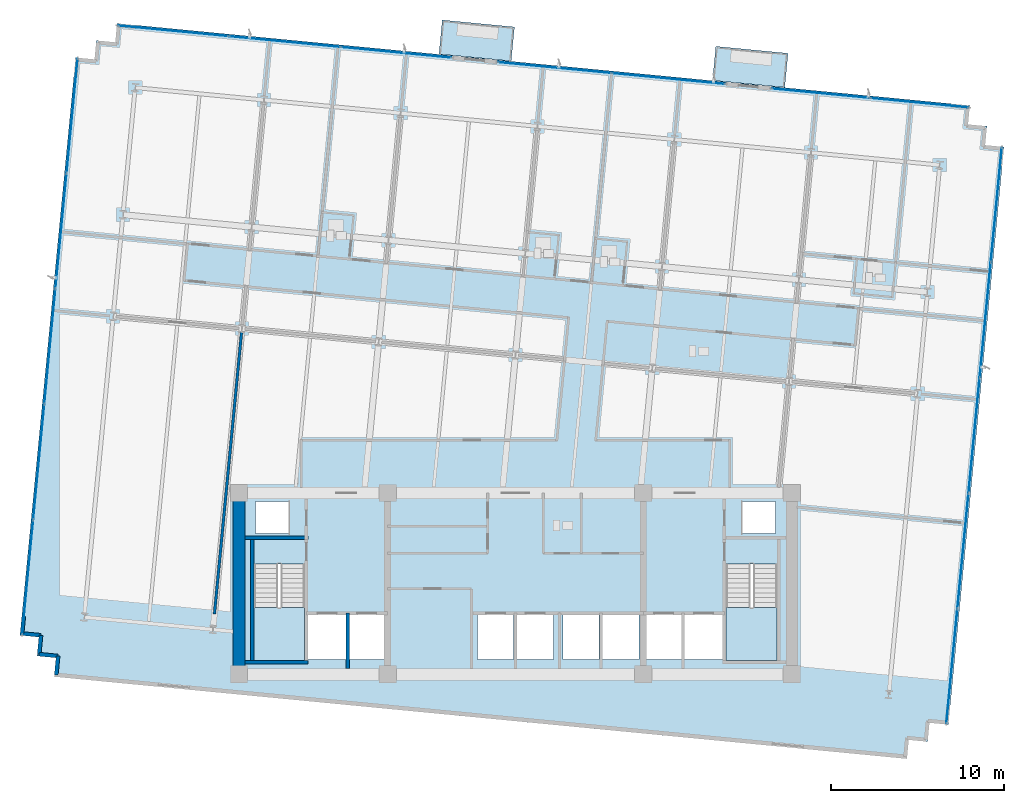
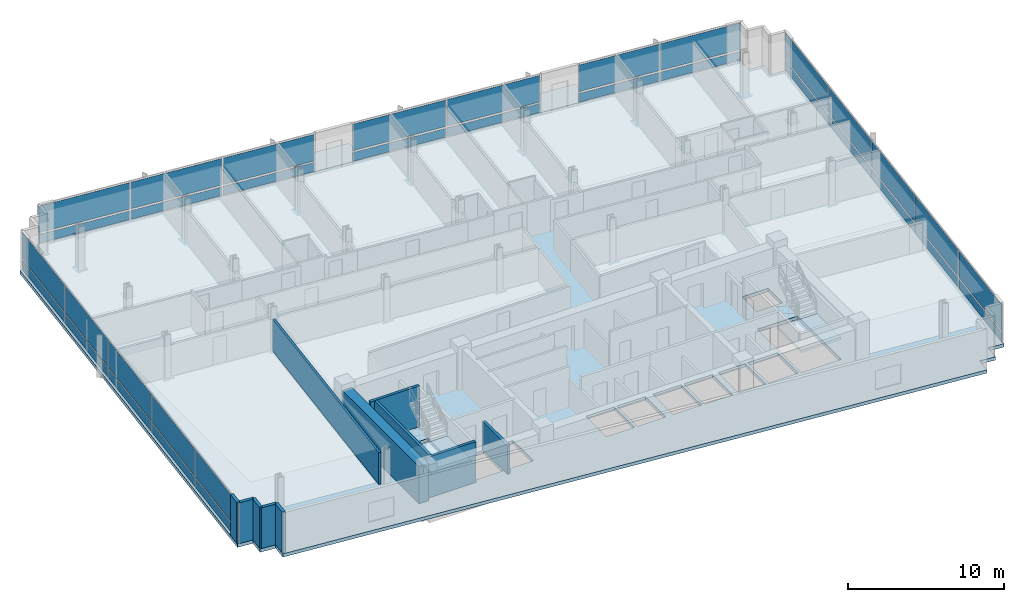
# One storey, part 9 of 17: 34 plates, 11 walls, 5 slabs, 7 elements without a shape of their own.
"""IFC4 building model written with IfcOpenShell, lengths in metres."""

from ifc_helpers import new_model, si_unit, direction, frame, frame_2d, origin, origin_2d, place, context, subcontext, project, spatial, polyline, rectangle, outline, extrude, material, layer, layer_set, type_object, element, aggregate, save


model = new_model("IFC4")

# Units and contexts
model_context = context("Model", 3, precision=1e-05, world=origin(), true_north=direction((0.0, 1.0)))
body_context = subcontext(model_context, "Body", "Model", "MODEL_VIEW")
ifc_project = project(units=[si_unit("LENGTHUNIT", "METRE"), si_unit("AREAUNIT", "SQUARE_METRE"), si_unit("VOLUMEUNIT", "CUBIC_METRE"), si_unit("PLANEANGLEUNIT", "RADIAN"), si_unit("MASSUNIT", "GRAM", prefix="KILO")], contexts=[model_context])

# Site, building, storey
site_placement = place(None, origin())
site = spatial("IfcSite", under=ifc_project, at=site_placement, CompositionType="ELEMENT")
building_placement = place(site_placement, origin())
building = spatial("IfcBuilding", under=site, at=building_placement, Name="Solmavex Isthmus Hotel", CompositionType="ELEMENT")
storey_placement = place(building_placement, frame((0.0, 0.0, 170.39990234375)))
storey = spatial("IfcBuildingStorey", under=building, at=storey_placement, Name="L46", CompositionType="ELEMENT", Elevation=170.39990234375)

# Curtain wall, plates
ifc_material_1 = material(Name="Aluminium alloy 6063-T6", Category="aluminium")
curtain_wall_type = type_object("IfcCurtainWallType", Name="CW-SYS-03", PredefinedType="NOTDEFINED", material=ifc_material_1)
curtain_wall_1_placement = place(storey_placement, origin())
curtain_wall_1 = element("IfcCurtainWall", 1, at=curtain_wall_1_placement, inside=storey, type_object=curtain_wall_type, Name="Stick Curtain Wall CWL-L46-N1", PredefinedType="NOTDEFINED")
ifc_material_2 = material(Name="Clear low-E laminated glass", Category="glass")
ifc_layer_1 = layer(ifc_material_2, 0.030029296875)
ifc_layer_set_1 = layer_set([ifc_layer_1], Name="Clear low-E laminated glass")
plate_type = type_object("IfcPlateType", Name="CW-SYS-03-PNL", PredefinedType="CURTAIN_PANEL", material=ifc_layer_set_1)
plate_1_placement = place(storey_placement, frame((-19.820068359375, 24.256591796875, 0.14013671875), z_axis=(0.0, 0.0, 1.0), x_axis=(0.995396204731, -0.095845686434, 0.0)))
plate_1 = element("IfcPlate", 2, at=plate_1_placement, type_object=plate_type, Name="CW-03 panel 1.1", PredefinedType="CURTAIN_PANEL", context=body_context, shape_type="SweptSolid", body=[
    extrude(rectangle(XDim=6.40234375, YDim=0.030029296875, at=origin_2d()), origin(), (0.0, 0.0, 1.0), 0.68994140625),
])
plate_2_placement = place(storey_placement, frame((-19.820068359375, 24.256591796875, 0.969970703125), z_axis=(0.0, 0.0, 1.0), x_axis=(0.995396204731, -0.095845686434, 0.0)))
plate_2 = element("IfcPlate", 3, at=plate_2_placement, type_object=plate_type, Name="CW-03 panel 1.2", PredefinedType="CURTAIN_PANEL", context=body_context, shape_type="SweptSolid", body=[
    extrude(rectangle(XDim=6.40234375, YDim=0.030029296875, at=origin_2d()), origin(), (0.0, 0.0, 1.0), 2.080078125),
])
plate_3_placement = place(storey_placement, frame((-13.360107421875, 23.634521484375, 0.14013671875), z_axis=(0.0, 0.0, 1.0), x_axis=(0.995396204731, -0.095845686434, 0.0)))
plate_3 = element("IfcPlate", 4, at=plate_3_placement, type_object=plate_type, Name="CW-03 panel 2.1", PredefinedType="CURTAIN_PANEL", context=body_context, shape_type="SweptSolid", body=[
    extrude(rectangle(XDim=6.437255859375, YDim=0.030029296875, at=origin_2d()), origin(), (0.0, 0.0, 1.0), 0.68994140625),
])
plate_4_placement = place(storey_placement, frame((-13.360107421875, 23.634521484375, 0.969970703125), z_axis=(0.0, 0.0, 1.0), x_axis=(0.995396204731, -0.095845686434, 0.0)))
plate_4 = element("IfcPlate", 5, at=plate_4_placement, type_object=plate_type, Name="CW-03 panel 2.2", PredefinedType="CURTAIN_PANEL", context=body_context, shape_type="SweptSolid", body=[
    extrude(rectangle(XDim=6.437255859375, YDim=0.030029296875, at=origin_2d()), origin(), (0.0, 0.0, 1.0), 2.080078125),
])
plate_5_placement = place(storey_placement, frame((-6.900146484375, 23.012451171875, 0.14013671875), z_axis=(0.0, 0.0, 1.0), x_axis=(0.995396204731, -0.095845686434, 0.0)))
plate_5 = element("IfcPlate", 6, at=plate_5_placement, type_object=plate_type, Name="CW-03 panel 3.1", PredefinedType="CURTAIN_PANEL", context=body_context, shape_type="SweptSolid", body=[
    extrude(rectangle(XDim=6.40234375, YDim=0.030029296875, at=origin_2d()), origin(), (0.0, 0.0, 1.0), 0.68994140625),
])
plate_6_placement = place(storey_placement, frame((-6.900146484375, 23.012451171875, 0.969970703125), z_axis=(0.0, 0.0, 1.0), x_axis=(0.995396204731, -0.095845686434, 0.0)))
plate_6 = element("IfcPlate", 7, at=plate_6_placement, type_object=plate_type, Name="CW-03 panel 3.2", PredefinedType="CURTAIN_PANEL", context=body_context, shape_type="SweptSolid", body=[
    extrude(rectangle(XDim=6.40234375, YDim=0.030029296875, at=origin_2d()), origin(), (0.0, 0.0, 1.0), 2.080078125),
])
aggregate(curtain_wall_1, [plate_1, plate_2, plate_3, plate_4, plate_5, plate_6])

curtain_wall_2_placement = place(storey_placement, origin())
curtain_wall_2 = element("IfcCurtainWall", 8, at=curtain_wall_2_placement, inside=storey, type_object=curtain_wall_type, Name="Stick Curtain Wall CWL-L46-N2", PredefinedType="NOTDEFINED")
plate_7_placement = place(storey_placement, frame((2.27392578125, 22.129150390625, 0.14013671875), z_axis=(0.0, 0.0, 1.0), x_axis=(0.995396257521, -0.095845138178, 0.0)))
plate_7 = element("IfcPlate", 9, at=plate_7_placement, type_object=plate_type, Name="CW-03 panel 1.1", PredefinedType="CURTAIN_PANEL", context=body_context, shape_type="SweptSolid", body=[
    extrude(rectangle(XDim=6.551025390625, YDim=0.030029296875, at=origin_2d()), origin(), (0.0, 0.0, 1.0), 0.68994140625),
])
plate_8_placement = place(storey_placement, frame((2.27392578125, 22.129150390625, 0.969970703125), z_axis=(0.0, 0.0, 1.0), x_axis=(0.995396257521, -0.095845138178, 0.0)))
plate_8 = element("IfcPlate", 10, at=plate_8_placement, type_object=plate_type, Name="CW-03 panel 1.2", PredefinedType="CURTAIN_PANEL", context=body_context, shape_type="SweptSolid", body=[
    extrude(rectangle(XDim=6.551025390625, YDim=0.030029296875, at=origin_2d()), origin(), (0.0, 0.0, 1.0), 2.080078125),
])
plate_9_placement = place(storey_placement, frame((8.864501953125, 21.49462890625, 0.14013671875), z_axis=(0.0, 0.0, 1.0), x_axis=(0.995396257521, -0.095845138178, 0.0)))
plate_9 = element("IfcPlate", 11, at=plate_9_placement, type_object=plate_type, Name="CW-03 panel 2.1", PredefinedType="CURTAIN_PANEL", context=body_context, shape_type="SweptSolid", body=[
    extrude(rectangle(XDim=6.551025390625, YDim=0.030029296875, at=origin_2d()), origin(), (0.0, 0.0, 1.0), 0.68994140625),
])
plate_10_placement = place(storey_placement, frame((8.864501953125, 21.49462890625, 0.969970703125), z_axis=(0.0, 0.0, 1.0), x_axis=(0.995396257521, -0.095845138178, 0.0)))
plate_10 = element("IfcPlate", 12, at=plate_10_placement, type_object=plate_type, Name="CW-03 panel 2.2", PredefinedType="CURTAIN_PANEL", context=body_context, shape_type="SweptSolid", body=[
    extrude(rectangle(XDim=6.551025390625, YDim=0.030029296875, at=origin_2d()), origin(), (0.0, 0.0, 1.0), 2.080078125),
])
aggregate(curtain_wall_2, [plate_7, plate_8, plate_9, plate_10])

curtain_wall_3_placement = place(storey_placement, origin())
curtain_wall_3 = element("IfcCurtainWall", 13, at=curtain_wall_3_placement, inside=storey, type_object=curtain_wall_type, Name="Stick Curtain Wall CWL-L46-N3", PredefinedType="NOTDEFINED")
plate_11_placement = place(storey_placement, frame((17.67822265625, 20.645751953125, 0.14013671875), z_axis=(0.0, 0.0, 1.0), x_axis=(0.995396212717, -0.095845603495, 0.0)))
plate_11 = element("IfcPlate", 14, at=plate_11_placement, type_object=plate_type, Name="CW-03 panel 1.1", PredefinedType="CURTAIN_PANEL", context=body_context, shape_type="SweptSolid", body=[
    extrude(rectangle(XDim=5.677978515625, YDim=0.030029296875, at=origin_2d()), origin(), (0.0, 0.0, 1.0), 0.68994140625),
])
plate_12_placement = place(storey_placement, frame((17.67822265625, 20.645751953125, 0.969970703125), z_axis=(0.0, 0.0, 1.0), x_axis=(0.995396212717, -0.095845603495, 0.0)))
plate_12 = element("IfcPlate", 15, at=plate_12_placement, type_object=plate_type, Name="CW-03 panel 1.2", PredefinedType="CURTAIN_PANEL", context=body_context, shape_type="SweptSolid", body=[
    extrude(rectangle(XDim=5.677978515625, YDim=0.030029296875, at=origin_2d()), origin(), (0.0, 0.0, 1.0), 2.080078125),
])
plate_13_placement = place(storey_placement, frame((23.39990234375, 20.094970703125, 0.14013671875), z_axis=(0.0, 0.0, 1.0), x_axis=(0.995396212717, -0.095845603495, 0.0)))
plate_13 = element("IfcPlate", 16, at=plate_13_placement, type_object=plate_type, Name="CW-03 panel 2.1", PredefinedType="CURTAIN_PANEL", context=body_context, shape_type="SweptSolid", body=[
    extrude(rectangle(XDim=5.677978515625, YDim=0.030029296875, at=origin_2d()), origin(), (0.0, 0.0, 1.0), 0.68994140625),
])
plate_14_placement = place(storey_placement, frame((23.39990234375, 20.094970703125, 0.969970703125), z_axis=(0.0, 0.0, 1.0), x_axis=(0.995396212717, -0.095845603495, 0.0)))
plate_14 = element("IfcPlate", 17, at=plate_14_placement, type_object=plate_type, Name="CW-03 panel 2.2", PredefinedType="CURTAIN_PANEL", context=body_context, shape_type="SweptSolid", body=[
    extrude(rectangle(XDim=5.677978515625, YDim=0.030029296875, at=origin_2d()), origin(), (0.0, 0.0, 1.0), 2.080078125),
])
aggregate(curtain_wall_3, [plate_11, plate_12, plate_13, plate_14])

curtain_wall_4_placement = place(storey_placement, origin())
curtain_wall_4 = element("IfcCurtainWall", 18, at=curtain_wall_4_placement, inside=storey, type_object=curtain_wall_type, Name="Stick Curtain Wall CWL-L46-W1", PredefinedType="NOTDEFINED")
plate_15_placement = place(storey_placement, frame((-28.24267578125, -7.38427734375, 0.14013671875), z_axis=(0.0, 0.0, 1.0), x_axis=(0.09584583902, 0.995396190038, 0.0)))
plate_15 = element("IfcPlate", 19, at=plate_15_placement, type_object=plate_type, Name="CW-03 panel 1.1", PredefinedType="CURTAIN_PANEL", context=body_context, shape_type="SweptSolid", body=[
    extrude(rectangle(XDim=6.614990234375, YDim=0.030029296875, at=origin_2d()), origin(), (0.0, 0.0, 1.0), 0.68994140625),
])
plate_16_placement = place(storey_placement, frame((-28.24267578125, -7.38427734375, 0.969970703125), z_axis=(0.0, 0.0, 1.0), x_axis=(0.09584583902, 0.995396190038, 0.0)))
plate_16 = element("IfcPlate", 20, at=plate_16_placement, type_object=plate_type, Name="CW-03 panel 1.2", PredefinedType="CURTAIN_PANEL", context=body_context, shape_type="SweptSolid", body=[
    extrude(rectangle(XDim=6.614990234375, YDim=0.030029296875, at=origin_2d()), origin(), (0.0, 0.0, 1.0), 2.080078125),
])
plate_17_placement = place(storey_placement, frame((-27.600341796875, -0.712646484375, 0.14013671875), z_axis=(0.0, 0.0, 1.0), x_axis=(0.09584583902, 0.995396190038, 0.0)))
plate_17 = element("IfcPlate", 21, at=plate_17_placement, type_object=plate_type, Name="CW-03 panel 2.1", PredefinedType="CURTAIN_PANEL", context=body_context, shape_type="SweptSolid", body=[
    extrude(rectangle(XDim=6.64990234375, YDim=0.030029296875, at=origin_2d()), origin(), (0.0, 0.0, 1.0), 0.68994140625),
])
plate_18_placement = place(storey_placement, frame((-27.600341796875, -0.712646484375, 0.969970703125), z_axis=(0.0, 0.0, 1.0), x_axis=(0.09584583902, 0.995396190038, 0.0)))
plate_18 = element("IfcPlate", 22, at=plate_18_placement, type_object=plate_type, Name="CW-03 panel 2.2", PredefinedType="CURTAIN_PANEL", context=body_context, shape_type="SweptSolid", body=[
    extrude(rectangle(XDim=6.64990234375, YDim=0.030029296875, at=origin_2d()), origin(), (0.0, 0.0, 1.0), 2.080078125),
])
plate_19_placement = place(storey_placement, frame((-26.956298828125, 5.976318359375, 0.14013671875), z_axis=(0.0, 0.0, 1.0), x_axis=(0.09584583902, 0.995396190038, 0.0)))
plate_19 = element("IfcPlate", 23, at=plate_19_placement, type_object=plate_type, Name="CW-03 panel 3.1", PredefinedType="CURTAIN_PANEL", context=body_context, shape_type="SweptSolid", body=[
    extrude(rectangle(XDim=6.64990234375, YDim=0.030029296875, at=origin_2d()), origin(), (0.0, 0.0, 1.0), 0.68994140625),
])
plate_20_placement = place(storey_placement, frame((-26.956298828125, 5.976318359375, 0.969970703125), z_axis=(0.0, 0.0, 1.0), x_axis=(0.09584583902, 0.995396190038, 0.0)))
plate_20 = element("IfcPlate", 24, at=plate_20_placement, type_object=plate_type, Name="CW-03 panel 3.2", PredefinedType="CURTAIN_PANEL", context=body_context, shape_type="SweptSolid", body=[
    extrude(rectangle(XDim=6.64990234375, YDim=0.030029296875, at=origin_2d()), origin(), (0.0, 0.0, 1.0), 2.080078125),
])
plate_21_placement = place(storey_placement, frame((-26.312255859375, 12.665283203125, 0.14013671875), z_axis=(0.0, 0.0, 1.0), x_axis=(0.09584583902, 0.995396190038, 0.0)))
plate_21 = element("IfcPlate", 25, at=plate_21_placement, type_object=plate_type, Name="CW-03 panel 4.1", PredefinedType="CURTAIN_PANEL", context=body_context, shape_type="SweptSolid", body=[
    extrude(rectangle(XDim=6.64990234375, YDim=0.030029296875, at=origin_2d()), origin(), (0.0, 0.0, 1.0), 0.68994140625),
])
plate_22_placement = place(storey_placement, frame((-26.312255859375, 12.665283203125, 0.969970703125), z_axis=(0.0, 0.0, 1.0), x_axis=(0.09584583902, 0.995396190038, 0.0)))
plate_22 = element("IfcPlate", 26, at=plate_22_placement, type_object=plate_type, Name="CW-03 panel 4.2", PredefinedType="CURTAIN_PANEL", context=body_context, shape_type="SweptSolid", body=[
    extrude(rectangle(XDim=6.64990234375, YDim=0.030029296875, at=origin_2d()), origin(), (0.0, 0.0, 1.0), 2.080078125),
])
plate_23_placement = place(storey_placement, frame((-25.669677734375, 19.337158203125, 0.14013671875), z_axis=(0.0, 0.0, 1.0), x_axis=(0.09584583902, 0.995396190038, 0.0)))
plate_23 = element("IfcPlate", 27, at=plate_23_placement, type_object=plate_type, Name="CW-03 panel 5.1", PredefinedType="CURTAIN_PANEL", context=body_context, shape_type="SweptSolid", body=[
    extrude(rectangle(XDim=6.614990234375, YDim=0.030029296875, at=origin_2d()), origin(), (0.0, 0.0, 1.0), 0.68994140625),
])
plate_24_placement = place(storey_placement, frame((-25.669677734375, 19.337158203125, 0.969970703125), z_axis=(0.0, 0.0, 1.0), x_axis=(0.09584583902, 0.995396190038, 0.0)))
plate_24 = element("IfcPlate", 28, at=plate_24_placement, type_object=plate_type, Name="CW-03 panel 5.2", PredefinedType="CURTAIN_PANEL", context=body_context, shape_type="SweptSolid", body=[
    extrude(rectangle(XDim=6.614990234375, YDim=0.030029296875, at=origin_2d()), origin(), (0.0, 0.0, 1.0), 2.080078125),
])
aggregate(curtain_wall_4, [plate_15, plate_16, plate_17, plate_18, plate_19, plate_20, plate_21, plate_22, plate_23, plate_24])

curtain_wall_5_placement = place(storey_placement, origin())
curtain_wall_5 = element("IfcCurtainWall", 29, at=curtain_wall_5_placement, inside=storey, type_object=curtain_wall_type, Name="Stick Curtain Wall CWL-L46-E1", PredefinedType="NOTDEFINED")
plate_25_placement = place(storey_placement, frame((25.269775390625, -12.537109375, 0.14013671875), z_axis=(0.0, 0.0, 1.0), x_axis=(0.09584583902, 0.995396190038, 0.0)))
plate_25 = element("IfcPlate", 30, at=plate_25_placement, type_object=plate_type, Name="CW-03 panel 1.1", PredefinedType="CURTAIN_PANEL", context=body_context, shape_type="SweptSolid", body=[
    extrude(rectangle(XDim=6.614990234375, YDim=0.030029296875, at=origin_2d()), origin(), (0.0, 0.0, 1.0), 0.68994140625),
])
plate_26_placement = place(storey_placement, frame((25.269775390625, -12.537109375, 0.969970703125), z_axis=(0.0, 0.0, 1.0), x_axis=(0.09584583902, 0.995396190038, 0.0)))
plate_26 = element("IfcPlate", 31, at=plate_26_placement, type_object=plate_type, Name="CW-03 panel 1.2", PredefinedType="CURTAIN_PANEL", context=body_context, shape_type="SweptSolid", body=[
    extrude(rectangle(XDim=6.614990234375, YDim=0.030029296875, at=origin_2d()), origin(), (0.0, 0.0, 1.0), 2.080078125),
])
plate_27_placement = place(storey_placement, frame((25.912109375, -5.865478515625, 0.14013671875), z_axis=(0.0, 0.0, 1.0), x_axis=(0.09584583902, 0.995396190038, 0.0)))
plate_27 = element("IfcPlate", 32, at=plate_27_placement, type_object=plate_type, Name="CW-03 panel 2.1", PredefinedType="CURTAIN_PANEL", context=body_context, shape_type="SweptSolid", body=[
    extrude(rectangle(XDim=6.64990234375, YDim=0.030029296875, at=origin_2d()), origin(), (0.0, 0.0, 1.0), 0.68994140625),
])
plate_28_placement = place(storey_placement, frame((25.912109375, -5.865478515625, 0.969970703125), z_axis=(0.0, 0.0, 1.0), x_axis=(0.09584583902, 0.995396190038, 0.0)))
plate_28 = element("IfcPlate", 33, at=plate_28_placement, type_object=plate_type, Name="CW-03 panel 2.2", PredefinedType="CURTAIN_PANEL", context=body_context, shape_type="SweptSolid", body=[
    extrude(rectangle(XDim=6.64990234375, YDim=0.030029296875, at=origin_2d()), origin(), (0.0, 0.0, 1.0), 2.080078125),
])
plate_29_placement = place(storey_placement, frame((26.55615234375, 0.82373046875, 0.14013671875), z_axis=(0.0, 0.0, 1.0), x_axis=(0.09584583902, 0.995396190038, 0.0)))
plate_29 = element("IfcPlate", 34, at=plate_29_placement, type_object=plate_type, Name="CW-03 panel 3.1", PredefinedType="CURTAIN_PANEL", context=body_context, shape_type="SweptSolid", body=[
    extrude(rectangle(XDim=6.64990234375, YDim=0.030029296875, at=origin_2d()), origin(), (0.0, 0.0, 1.0), 0.68994140625),
])
plate_30_placement = place(storey_placement, frame((26.55615234375, 0.82373046875, 0.969970703125), z_axis=(0.0, 0.0, 1.0), x_axis=(0.09584583902, 0.995396190038, 0.0)))
plate_30 = element("IfcPlate", 35, at=plate_30_placement, type_object=plate_type, Name="CW-03 panel 3.2", PredefinedType="CURTAIN_PANEL", context=body_context, shape_type="SweptSolid", body=[
    extrude(rectangle(XDim=6.64990234375, YDim=0.030029296875, at=origin_2d()), origin(), (0.0, 0.0, 1.0), 2.080078125),
])
plate_31_placement = place(storey_placement, frame((27.200439453125, 7.5126953125, 0.14013671875), z_axis=(0.0, 0.0, 1.0), x_axis=(0.09584583902, 0.995396190038, 0.0)))
plate_31 = element("IfcPlate", 36, at=plate_31_placement, type_object=plate_type, Name="CW-03 panel 4.1", PredefinedType="CURTAIN_PANEL", context=body_context, shape_type="SweptSolid", body=[
    extrude(rectangle(XDim=6.64990234375, YDim=0.030029296875, at=origin_2d()), origin(), (0.0, 0.0, 1.0), 0.68994140625),
])
plate_32_placement = place(storey_placement, frame((27.200439453125, 7.5126953125, 0.969970703125), z_axis=(0.0, 0.0, 1.0), x_axis=(0.09584583902, 0.995396190038, 0.0)))
plate_32 = element("IfcPlate", 37, at=plate_32_placement, type_object=plate_type, Name="CW-03 panel 4.2", PredefinedType="CURTAIN_PANEL", context=body_context, shape_type="SweptSolid", body=[
    extrude(rectangle(XDim=6.64990234375, YDim=0.030029296875, at=origin_2d()), origin(), (0.0, 0.0, 1.0), 2.080078125),
])
plate_33_placement = place(storey_placement, frame((27.8427734375, 14.184326171875, 0.14013671875), z_axis=(0.0, 0.0, 1.0), x_axis=(0.09584583902, 0.995396190038, 0.0)))
plate_33 = element("IfcPlate", 38, at=plate_33_placement, type_object=plate_type, Name="CW-03 panel 5.1", PredefinedType="CURTAIN_PANEL", context=body_context, shape_type="SweptSolid", body=[
    extrude(rectangle(XDim=6.614990234375, YDim=0.030029296875, at=origin_2d()), origin(), (0.0, 0.0, 1.0), 0.68994140625),
])
plate_34_placement = place(storey_placement, frame((27.8427734375, 14.184326171875, 0.969970703125), z_axis=(0.0, 0.0, 1.0), x_axis=(0.09584583902, 0.995396190038, 0.0)))
plate_34 = element("IfcPlate", 39, at=plate_34_placement, type_object=plate_type, Name="CW-03 panel 5.2", PredefinedType="CURTAIN_PANEL", context=body_context, shape_type="SweptSolid", body=[
    extrude(rectangle(XDim=6.614990234375, YDim=0.030029296875, at=origin_2d()), origin(), (0.0, 0.0, 1.0), 2.080078125),
])
aggregate(curtain_wall_5, [plate_25, plate_26, plate_27, plate_28, plate_29, plate_30, plate_31, plate_32, plate_33, plate_34])

# Slabs
ifc_material_3 = material(Name="Concrete C40/50", Category="concrete")
ifc_layer_2 = layer(ifc_material_3, 0.239990234375)
ifc_layer_set_2 = layer_set([ifc_layer_2], Name="Concrete C40/50")
slab_type_1 = type_object("IfcSlabType", Name="SLAB-BALC-240", PredefinedType="FLOOR", material=ifc_layer_set_2)
slab_1_placement = place(storey_placement, frame((0.0, 0.0, -0.239990234375)))
element("IfcSlab", 40, at=slab_1_placement, inside=storey, type_object=slab_type_1, Name="Tree-Planter Balcony Slab L46-B1", PredefinedType="FLOOR", context=body_context, shape_type="SweptSolid", body=[
    extrude(outline(polyline([(-4.427490234375, 22.909912109375), (-0.246826171875, 22.507568359375), (-0.056640625, 24.4833984375), (-4.2373046875, 24.885986328125), (-4.427490234375, 22.909912109375)])), origin(), (0.0, 0.0, 1.0), 0.239990234375),
])
slab_2_placement = place(storey_placement, frame((0.0, 0.0, -0.239990234375)))
element("IfcSlab", 41, at=slab_2_placement, inside=storey, type_object=slab_type_1, Name="Tree-Planter Balcony Slab L46-B2", PredefinedType="FLOOR", context=body_context, shape_type="SweptSolid", body=[
    extrude(outline(polyline([(11.4111328125, 21.385009765625), (15.591796875, 20.982421875), (15.7822265625, 22.958251953125), (11.6015625, 23.36083984375), (11.4111328125, 21.385009765625)])), origin(), (0.0, 0.0, 1.0), 0.239990234375),
])
ifc_layer_3 = layer(ifc_material_3, 0.260009765625)
ifc_layer_set_3 = layer_set([ifc_layer_3], Name="Concrete C40/50")
slab_type_2 = type_object("IfcSlabType", Name="SLAB-TYP-260", PredefinedType="FLOOR", material=ifc_layer_set_3)
slab_3_placement = place(storey_placement, frame((0.0, 0.0, -0.260009765625)))
element("IfcSlab", 42, at=slab_3_placement, inside=storey, type_object=slab_type_2, Name="Tower Structural Floor Slab L46", PredefinedType="FLOOR", context=body_context, shape_type="SweptSolid", body=[
    extrude(outline(polyline([(-25.612060546875, -13.240966796875), (21.56982421875, -17.7841796875), (22.664794921875, -17.889404296875), (22.770263671875, -16.794677734375), (23.865234375, -16.89990234375), (23.970458984375, -15.80517578125), (25.0654296875, -15.910400390625), (25.1708984375, -14.815673828125), (28.180419921875, 16.43994140625), (28.285888671875, 17.534912109375), (27.19091796875, 17.64013671875), (27.29638671875, 18.735107421875), (26.201416015625, 18.840576171875), (26.306884765625, 19.935546875), (25.2119140625, 20.041015625), (-21.9697265625, 24.583984375), (-23.064697265625, 24.689453125), (-23.170166015625, 23.594482421875), (-24.26513671875, 23.699951171875), (-24.37060546875, 22.60498046875), (-25.465576171875, 22.71044921875), (-25.57080078125, 21.615478515625), (-28.58056640625, -9.639892578125), (-28.685791015625, -10.73486328125), (-27.591064453125, -10.84033203125), (-27.6962890625, -11.935302734375), (-26.6015625, -12.04052734375), (-26.706787109375, -13.135498046875), (-25.612060546875, -13.240966796875)]), holes=[polyline([(-15.14990234375, -6.617919921875), (-15.14990234375, -12.199951171875), (-12.199951171875, -12.199951171875), (-12.199951171875, -6.617919921875), (-15.14990234375, -6.617919921875)]), polyline([(12.199951171875, -6.617919921875), (12.199951171875, -12.199951171875), (15.14990234375, -12.199951171875), (15.14990234375, -6.617919921875), (12.199951171875, -6.617919921875)]), polyline([(-12.0, -12.14990234375), (-9.800048828125, -12.14990234375), (-9.800048828125, -9.550048828125), (-12.0, -9.550048828125), (-12.0, -12.14990234375)]), polyline([(9.800048828125, -12.14990234375), (12.0, -12.14990234375), (12.0, -9.550048828125), (9.800048828125, -9.550048828125), (9.800048828125, -12.14990234375)]), polyline([(-9.60009765625, -12.14990234375), (-7.60009765625, -12.14990234375), (-7.60009765625, -9.550048828125), (-9.60009765625, -9.550048828125), (-9.60009765625, -12.14990234375)]), polyline([(7.60009765625, -12.14990234375), (9.60009765625, -12.14990234375), (9.60009765625, -9.550048828125), (7.60009765625, -9.550048828125), (7.60009765625, -12.14990234375)]), polyline([(-2.199951171875, -12.14990234375), (-0.10009765625, -12.14990234375), (-0.10009765625, -9.550048828125), (-2.199951171875, -9.550048828125), (-2.199951171875, -12.14990234375)]), polyline([(0.10009765625, -12.14990234375), (2.199951171875, -12.14990234375), (2.199951171875, -9.550048828125), (0.10009765625, -9.550048828125), (0.10009765625, -12.14990234375)]), polyline([(2.75, -12.14990234375), (4.85009765625, -12.14990234375), (4.85009765625, -9.550048828125), (2.75, -9.550048828125), (2.75, -12.14990234375)]), polyline([(5.050048828125, -12.14990234375), (7.14990234375, -12.14990234375), (7.14990234375, -9.550048828125), (5.050048828125, -9.550048828125), (5.050048828125, -12.14990234375)]), polyline([(-15.050048828125, -4.85009765625), (-13.14990234375, -4.85009765625), (-13.14990234375, -3.0), (-15.050048828125, -3.0), (-15.050048828125, -4.85009765625)]), polyline([(13.14990234375, -4.85009765625), (15.050048828125, -4.85009765625), (15.050048828125, -3.0), (13.14990234375, -3.0), (13.14990234375, -4.85009765625)])]), origin(), (0.0, 0.0, 1.0), 0.260009765625),
])

# Stair, slab
stair_type_1 = type_object("IfcStairType", Name="STR-ST-1", PredefinedType="HALF_TURN_STAIR", material=ifc_material_3)
stair_1_placement = place(storey_placement, origin())
stair_1 = element("IfcStair", 43, at=stair_1_placement, inside=storey, type_object=stair_type_1, Name="L46 Protected Exit Stair ST-1", PredefinedType="HALF_TURN_STAIR")
ifc_layer_4 = layer(ifc_material_3, 0.219970703125)
ifc_layer_set_4 = layer_set([ifc_layer_4], Name="Concrete C40/50")
slab_type_3 = type_object("IfcSlabType", Name="SLD-ST-1", PredefinedType="LANDING", material=ifc_layer_set_4)
slab_4_placement = place(storey_placement, frame((0.0, 0.0, 1.525146484375)))
slab_4 = element("IfcSlab", 44, at=slab_4_placement, type_object=slab_type_3, Name="ST-1 landing 1", PredefinedType="LANDING", context=body_context, shape_type="SweptSolid", body=[
    extrude(outline(polyline([(-15.14990234375, -9.1201171875), (-15.14990234375, -12.199951171875), (-12.199951171875, -12.199951171875), (-12.199951171875, -9.1201171875), (-15.14990234375, -9.1201171875)])), origin(), (0.0, 0.0, 1.0), 0.199951171875),
])
aggregate(stair_1, [slab_4])

stair_type_2 = type_object("IfcStairType", Name="STR-ST-2", PredefinedType="HALF_TURN_STAIR", material=ifc_material_3)
stair_2_placement = place(storey_placement, origin())
stair_2 = element("IfcStair", 45, at=stair_2_placement, inside=storey, type_object=stair_type_2, Name="L46 Protected Exit Stair ST-2", PredefinedType="HALF_TURN_STAIR")
ifc_layer_5 = layer(ifc_material_3, 0.219970703125)
ifc_layer_set_5 = layer_set([ifc_layer_5], Name="Concrete C40/50")
slab_type_4 = type_object("IfcSlabType", Name="SLD-ST-2", PredefinedType="LANDING", material=ifc_layer_set_5)
slab_5_placement = place(storey_placement, frame((0.0, 0.0, 1.525146484375)))
slab_5 = element("IfcSlab", 46, at=slab_5_placement, type_object=slab_type_4, Name="ST-2 landing 1", PredefinedType="LANDING", context=body_context, shape_type="SweptSolid", body=[
    extrude(outline(polyline([(12.199951171875, -9.1201171875), (12.199951171875, -12.199951171875), (15.14990234375, -12.199951171875), (15.14990234375, -9.1201171875), (12.199951171875, -9.1201171875)])), origin(), (0.0, 0.0, 1.0), 0.199951171875),
])
aggregate(stair_2, [slab_5])

# Walls
ifc_material_4 = material(Name="Precast Concrete C40/50", Category="concrete")
ifc_layer_6 = layer(ifc_material_4, 0.25)
ifc_layer_set_6 = layer_set([ifc_layer_6], Name="Precast Concrete C40/50")
wall_type_1 = type_object("IfcWallType", Name="EW-TWR-250", PredefinedType="STANDARD", material=ifc_layer_set_6)
for number, where, z_axis, x_axis, name in (
    (47, (-26.5869140625, -13.03662109375, 0.0), (0.0, 0.0, 1.0), (0.095877334176, 0.995393156894, 0.0), "Serrated Corner Facade Panel L46-01"),
    (48, (-26.4814453125, -11.941650390625, 0.0), (0.0, 0.0, 1.0), (-0.995393156894, 0.095877334176, 0.0), "Serrated Corner Facade Panel L46-02"),
    (49, (-27.576416015625, -11.836181640625, 0.0), (0.0, 0.0, 1.0), (0.095877334176, 0.995393156894, 0.0), "Serrated Corner Facade Panel L46-03"),
    (50, (-27.470947265625, -10.7412109375, 0.0), (0.0, 0.0, 1.0), (-0.995414313875, 0.095657429048, 0.0), "Serrated Corner Facade Panel L46-04"),
):
    element("IfcWall", number, at=place(storey_placement, frame(where, z_axis=z_axis, x_axis=x_axis)), inside=storey, type_object=wall_type_1, Name=name, PredefinedType="STANDARD", context=body_context, shape_type="SweptSolid", body=[
        extrude(rectangle(XDim=1.10009765625, YDim=0.219970703125, at=frame_2d((0.550048828125, 0.0))), origin(), (0.0, 0.0, 1.0), 3.190185546875),
    ])
wall_1_placement = place(storey_placement, frame((-28.56591796875, -10.635986328125, 0.0), z_axis=(0.0, 0.0, 1.0), x_axis=(0.095914428506, 0.995389583231, 0.0)))
element("IfcWall", 51, at=wall_1_placement, inside=storey, type_object=wall_type_1, Name="Serrated Corner Facade Panel L46-05", PredefinedType="STANDARD", context=body_context, shape_type="SweptSolid", body=[
    extrude(rectangle(XDim=0.990234375, YDim=0.219970703125, at=frame_2d((0.4951171875, 0.0))), origin(), (0.0, 0.0, 1.0), 3.190185546875),
])
ifc_material_5 = material(Name="Gypsum plasterboard lining", Category="gypsum")
ifc_layer_7 = layer(ifc_material_5, 0.159912109375)
ifc_layer_set_7 = layer_set([ifc_layer_7], Name="Gypsum plasterboard lining")
wall_type_2 = type_object("IfcWallType", Name="IW-COMP-160", PredefinedType="PARTITIONING", material=ifc_layer_set_7)
wall_2_placement = place(storey_placement, frame((-17.427490234375, -9.498291015625, 0.0), z_axis=(0.0, 0.0, 1.0), x_axis=(0.095846460307, 0.995396130215, 0.0)))
element("IfcWall", 52, at=wall_2_placement, inside=storey, type_object=wall_type_2, Name="Interior Partition Wall W-L46-P075", PredefinedType="PARTITIONING", context=body_context, shape_type="SweptSolid", body=[
    extrude(rectangle(XDim=16.414306640625, YDim=0.159912109375, at=frame_2d((8.20703125, 0.0))), origin(), (0.0, 0.0, 1.0), 2.4794921875),
])
ifc_layer_8 = layer(ifc_material_3, 0.199951171875)
ifc_layer_set_8 = layer_set([ifc_layer_8], Name="Concrete C40/50")
wall_type_3 = type_object("IfcWallType", Name="IW-SHAFT-200", PredefinedType="PARTITIONING", material=ifc_layer_set_8)
wall_3_placement = place(storey_placement, frame((-9.699951171875, -12.64990234375, 0.0), z_axis=(0.0, 0.0, 1.0), x_axis=(0.0, 1.0, 0.0)))
element("IfcWall", 53, at=wall_3_placement, inside=storey, type_object=wall_type_3, Name="Interior Partition Wall W-L46-FFLW-M", PredefinedType="PARTITIONING", context=body_context, shape_type="SweptSolid", body=[
    extrude(rectangle(XDim=3.199951171875, YDim=0.199951171875, at=frame_2d((1.60009765625, 0.0))), origin(), (0.0, 0.0, 1.0), 2.22509765625),
])
ifc_material_6 = material(Name="Concrete C60/75", Category="concrete")
ifc_layer_9 = layer(ifc_material_6, 0.699951171875)
ifc_layer_set_9 = layer_set([ifc_layer_9], Name="Concrete C60/75")
wall_type_4 = type_object("IfcWallType", Name="WALL-CW-700", PredefinedType="SHEAR", material=ifc_layer_set_9)
wall_4_placement = place(storey_placement, frame((-16.0, -12.64990234375, 0.0), z_axis=(0.0, 0.0, 1.0), x_axis=(0.0, 1.0, 0.0)))
element("IfcWall", 54, at=wall_4_placement, inside=storey, type_object=wall_type_4, Name="Core Shear Wall West L46", PredefinedType="SHEAR", context=body_context, shape_type="SweptSolid", body=[
    extrude(rectangle(XDim=9.7998046875, YDim=0.699951171875, at=frame_2d((4.89990234375, 0.0))), origin(), (0.0, 0.0, 1.0), 2.91015625),
])
ifc_layer_10 = layer(ifc_material_3, 0.199951171875)
ifc_layer_set_10 = layer_set([ifc_layer_10], Name="Concrete C40/50")
wall_type_5 = type_object("IfcWallType", Name="WALL-SW-200", PredefinedType="SOLIDWALL", material=ifc_layer_set_10)
for number, where, z_axis, x_axis, name in (
    (55, (-15.64990234375, -12.300048828125, 0.0), (0.0, 0.0, 1.0), (1.0, 0.0, 0.0), "Stairwell Structural Wall SW-L46-ST1-S"),
    (56, (-15.64990234375, -5.10009765625, 0.0), (0.0, 0.0, 1.0), (1.0, 0.0, 0.0), "Stairwell Structural Wall SW-L46-ST1-N"),
):
    element("IfcWall", number, at=place(storey_placement, frame(where, z_axis=z_axis, x_axis=x_axis)), inside=storey, type_object=wall_type_5, Name=name, PredefinedType="SOLIDWALL", context=body_context, shape_type="SweptSolid", body=[
        extrude(rectangle(XDim=3.64990234375, YDim=0.199951171875, at=frame_2d((1.824951171875, 0.0))), origin(), (0.0, 0.0, 1.0), 3.190185546875),
    ])
wall_5_placement = place(storey_placement, frame((-15.25, -12.199951171875, 0.0), z_axis=(0.0, 0.0, 1.0), x_axis=(0.0, 1.0, 0.0)))
element("IfcWall", 57, at=wall_5_placement, inside=storey, type_object=wall_type_5, Name="Stairwell Structural Wall SW-L46-ST1-W", PredefinedType="SOLIDWALL", context=body_context, shape_type="SweptSolid", body=[
    extrude(rectangle(XDim=7.0, YDim=0.199951171875, at=frame_2d((3.5, 0.0))), origin(), (0.0, 0.0, 1.0), 3.190185546875),
])

save(model, "model.ifc")
